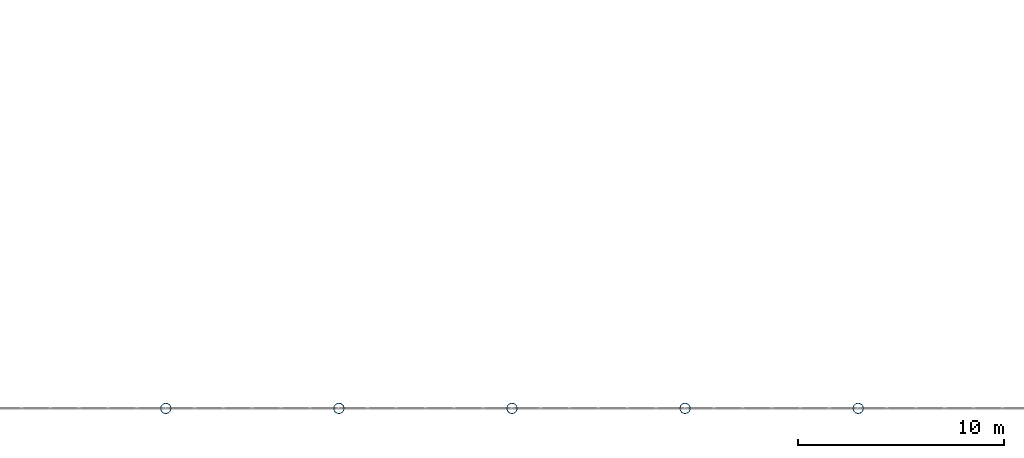
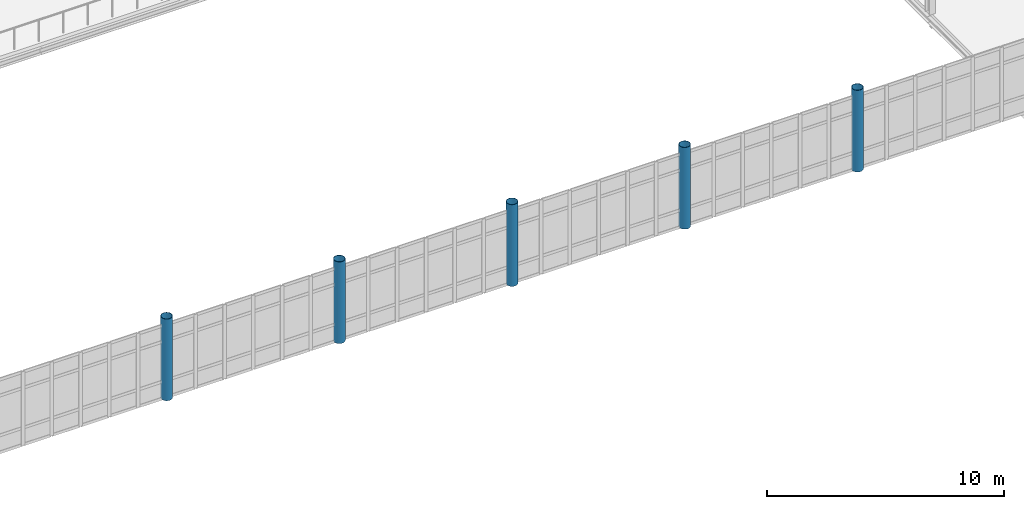
# One storey, part 5 of 163: 5 columns.
"""IFC4 building model written with IfcOpenShell, lengths in metres."""

import ifcopenshell
import ifcopenshell.guid

model = None  # the IFC model being written
_history = None  # IfcOwnerHistory: only IFC2X3 demands one
_inside = {}  # id of a spatial element -> (the spatial element, [elements in it])
_under = {}  # id of a project, library or spatial element -> (it, [spatial elements below it])
_declared = {}  # id of a project -> (the project, [libraries it declares])
_typed = {}  # id of a type object -> (the type object, [elements of that type])
_made_of = {}  # id of a material, layer set ... -> (it, [elements and type objects made of it])


def new_model(schema):
    """Start an empty IFC model of exactly this schema.

    Asked for "IFC4X3", IfcOpenShell would pick the latest addendum, in which some entities
    have other attributes; the version numbers below select the first issue.
    IFC2X3 requires an IfcOwnerHistory on every rooted entity: one is made here for all.
    """
    global model, _history
    if schema == "IFC4X3":
        model = ifcopenshell.file(schema_version=(4, 3, 0, 0))
    else:
        model = ifcopenshell.file(schema=schema)
    _inside.clear()
    _under.clear()
    _declared.clear()
    _typed.clear()
    _made_of.clear()
    _history = None
    if model.schema == "IFC2X3":
        org = make("IfcOrganization", Name="unknown")
        user = make(
            "IfcPersonAndOrganization",
            ThePerson=make("IfcPerson", FamilyName="unknown"),
            TheOrganization=org,
        )
        app = make(
            "IfcApplication",
            ApplicationDeveloper=org,
            Version="unknown",
            ApplicationFullName="unknown",
            ApplicationIdentifier="unknown",
        )
        _history = make(
            "IfcOwnerHistory",
            OwningUser=user,
            OwningApplication=app,
            ChangeAction="ADDED",
            CreationDate=0,
        )
    return model


def make(cls, **values):
    """One entity of the class cls with the attributes given. An attribute that is None is left unset."""
    return model.create_entity(
        cls, **{name: value for name, value in values.items() if value is not None}
    )


def rooted(cls, **values):
    """An entity with a GlobalId (a new one), such as an element, a storey or a relation."""
    return make(cls, GlobalId=ifcopenshell.guid.new(), OwnerHistory=_history, **values)


def si_unit(unit_type, name, prefix=None):
    """IfcSIUnit, for example si_unit("LENGTHUNIT", "METRE", prefix="MILLI")."""
    return make("IfcSIUnit", UnitType=unit_type, Prefix=prefix, Name=name)


def assignment(units):
    """IfcUnitAssignment: the units of a project."""
    return None if units is None else make("IfcUnitAssignment", Units=units)


def point(xyz):
    """IfcCartesianPoint."""
    return None if xyz is None else make("IfcCartesianPoint", Coordinates=xyz)


def direction(xyz):
    """IfcDirection."""
    return None if xyz is None else make("IfcDirection", DirectionRatios=xyz)


def frame(location, z_axis=None, x_axis=None):
    """IfcAxis2Placement3D, a coordinate frame: its origin and axes. An axis left out is left unset."""
    return make(
        "IfcAxis2Placement3D",
        Location=point(location),
        Axis=direction(z_axis),
        RefDirection=direction(x_axis),
    )


def frame_2d(location, x_axis=None):
    """IfcAxis2Placement2D, a coordinate frame in the plane: its origin and x axis."""
    return make(
        "IfcAxis2Placement2D", Location=point(location), RefDirection=direction(x_axis)
    )


def origin():
    """The frame at (0, 0, 0) with its axes left unset."""
    return frame((0.0, 0.0, 0.0))


def origin_2d():
    """The frame at (0, 0) in the plane with its x axis left unset."""
    return frame_2d((0.0, 0.0))


def place(relative_to, where):
    """IfcLocalPlacement: puts the frame where relative to a parent placement (None: the world)."""
    return make(
        "IfcLocalPlacement", PlacementRelTo=relative_to, RelativePlacement=where
    )


def context(
    kind, dimensions, precision=None, world=None, true_north=None, identifier=None
):
    """IfcGeometricRepresentationContext, for example the 3D "Model" context."""
    return make(
        "IfcGeometricRepresentationContext",
        ContextIdentifier=identifier,
        ContextType=kind,
        CoordinateSpaceDimension=dimensions,
        Precision=precision,
        WorldCoordinateSystem=world,
        TrueNorth=true_north,
    )


def subcontext(parent, identifier, kind, view, scale=None):
    """IfcGeometricRepresentationSubContext, for example "Body" below "Model"."""
    return make(
        "IfcGeometricRepresentationSubContext",
        ContextIdentifier=identifier,
        ContextType=kind,
        ParentContext=parent,
        TargetScale=scale,
        TargetView=view,
    )


def project(units=None, contexts=None):
    """IfcProject with its units and contexts."""
    return rooted(
        "IfcProject",
        Name="project",
        RepresentationContexts=contexts,
        UnitsInContext=assignment(units),
    )


def spatial(cls, under=None, at=None, **own):
    """A site, building, storey or space (cls), placed at a placement, below another one or the project."""
    s = rooted(cls, ObjectPlacement=at, **own)
    if under is not None:
        _under.setdefault(under.id(), (under, []))[1].append(s)
    return s


def profile(cls, at=None, kind="AREA", **sizes):
    """A parametric profile (cls). Its sizes go by their IFC names, for example OverallWidth=200.0."""
    return make(cls, ProfileType=kind, Position=at, **sizes)


def hollow_circle(**sizes):
    """IfcCircleHollowProfileDef."""
    return profile("IfcCircleHollowProfileDef", **sizes)


def extrude(swept, where, along, depth):
    """IfcExtrudedAreaSolid: the profile swept, set in the frame where, extruded along a direction by depth."""
    return make(
        "IfcExtrudedAreaSolid",
        SweptArea=swept,
        Position=where,
        ExtrudedDirection=direction(along),
        Depth=depth,
    )


def shape(context_of_items, identifier, shape_type, items):
    """IfcShapeRepresentation: the items that make up one representation, for example the "Body"."""
    return make(
        "IfcShapeRepresentation",
        ContextOfItems=context_of_items,
        RepresentationIdentifier=identifier,
        RepresentationType=shape_type,
        Items=items,
    )


def material(Name=None, Category=None):
    """IfcMaterial."""
    return make("IfcMaterial", Name=Name, Category=Category)


def material_profile(
    of_material, cross_section, Name=None, Category=None, Priority=None
):
    """IfcMaterialProfile: a cross section and its material."""
    return make(
        "IfcMaterialProfile",
        Name=Name,
        Material=of_material,
        Profile=cross_section,
        Priority=Priority,
        Category=Category,
    )


def profile_set(profiles, Name=None, composite=None):
    """IfcMaterialProfileSet."""
    return make(
        "IfcMaterialProfileSet",
        Name=Name,
        MaterialProfiles=profiles,
        CompositeProfile=composite,
    )


def made_of(thing, what):
    """Note that an element or type object is made of a material, layer set ...; save() writes the relation."""
    if what is not None:
        _made_of.setdefault(what.id(), (what, []))[1].append(thing)
    return thing


def type_object(cls, material=None, **own):
    """A type object (cls), such as IfcWallType, which elements share."""
    return made_of(rooted(cls, **own), material)


def element(
    cls,
    number,
    at=None,
    inside=None,
    cuts=None,
    type_object=None,
    material=None,
    context=None,
    identifier="Body",
    shape_type=None,
    held_by="IfcProductDefinitionShape",
    body=None,
    shapes=None,
    **own,
):
    """One element of the class cls, such as IfcWall. Its Tag is "e" and its number.

    at: its placement. inside: the storey or other place that contains it. cuts: it is an
    opening in that element (IfcRelVoidsElement). A single representation is given by context,
    identifier, shape_type and body (its items); several are given by shapes. held_by: the class
    of the entity that holds the representations. save() writes the other relations.
    """
    e = rooted(cls, Tag="e%d" % number, ObjectPlacement=at, **own)
    if body is not None:
        shapes = [shape(context, identifier, shape_type, body)]
    if shapes is not None:
        e.Representation = make(held_by, Representations=shapes)
    if inside is not None:
        _inside.setdefault(inside.id(), (inside, []))[1].append(e)
    if cuts is not None:
        rooted(
            "IfcRelVoidsElement", RelatingBuildingElement=cuts, RelatedOpeningElement=e
        )
    if type_object is not None:
        _typed.setdefault(type_object.id(), (type_object, []))[1].append(e)
    return made_of(e, material)


def aggregate(whole, parts):
    """IfcRelAggregates: a whole, such as a stair, and the parts it consists of."""
    return rooted("IfcRelAggregates", RelatingObject=whole, RelatedObjects=parts)


def save(model, path):
    """Write the relations noted so far, then the file.

    IfcRelAggregates (storeys below a building ...), IfcRelContainedInSpatialStructure (elements
    in a storey), IfcRelDefinesByType, IfcRelAssociatesMaterial and IfcRelDeclares: one each for
    every whole, place, type object, material and project.
    """
    for whole, parts in _under.values():
        aggregate(whole, parts)
    for where, things in _inside.values():
        rooted(
            "IfcRelContainedInSpatialStructure",
            RelatedElements=things,
            RelatingStructure=where,
        )
    for kind, things in _typed.values():
        rooted("IfcRelDefinesByType", RelatedObjects=things, RelatingType=kind)
    for what, things in _made_of.values():
        rooted("IfcRelAssociatesMaterial", RelatedObjects=things, RelatingMaterial=what)
    for by, libraries in _declared.values():
        rooted("IfcRelDeclares", RelatingContext=by, RelatedDefinitions=libraries)
    model.write(path)


model = new_model("IFC4")

# Units and contexts
model_context = context("Model", 3, precision=1e-05, world=origin(), true_north=direction((0.0, 1.0)))
body_context = subcontext(model_context, "Body", "Model", "MODEL_VIEW")
ifc_project = project(units=[si_unit("LENGTHUNIT", "METRE"), si_unit("AREAUNIT", "SQUARE_METRE"), si_unit("VOLUMEUNIT", "CUBIC_METRE"), si_unit("PLANEANGLEUNIT", "RADIAN"), si_unit("MASSUNIT", "GRAM", prefix="KILO")], contexts=[model_context])

# Site, building, storey
site_placement = place(None, origin())
site = spatial("IfcSite", under=ifc_project, at=site_placement, CompositionType="ELEMENT")
building_placement = place(site_placement, origin())
building = spatial("IfcBuilding", under=site, at=building_placement, Name="Qalvenar Corner Mobility Hub", CompositionType="ELEMENT")
storey_placement = place(building_placement, frame((0.0, 0.0, 4.800048828125)))
storey = spatial("IfcBuildingStorey", under=building, at=storey_placement, Name="L01", CompositionType="ELEMENT", Elevation=4.800048828125)

# Columns
ifc_material = material(Name="Steel S355", Category="steel")
ifc_material_profile = material_profile(ifc_material, hollow_circle(Radius=0.25390625, WallThickness=0.01611328125, at=origin_2d()), Name="CHS508x16")
ifc_profile_set = profile_set([ifc_material_profile], Name="Steel S355")
column_type = type_object("IfcColumnType", Name="COL-CHS508", PredefinedType="COLUMN", material=ifc_profile_set)
for number, where, z_axis, x_axis, name in (
    (1, (67.199951171875, 0.0, 0.0), (0.0, 0.0, 1.0), (1.0, 0.0, 0.0), "Steel Column L01-G9-0"),
    (2, (75.60009765625, 0.0, 0.0), (0.0, 0.0, 1.0), (1.0, 0.0, 0.0), "Steel Column L01-G10-0"),
    (3, (84.0, 0.0, 0.0), (0.0, 0.0, 1.0), (1.0, 0.0, 0.0), "Steel Column L01-G11-0"),
    (4, (92.39990234375, 0.0, 0.0), (0.0, 0.0, 1.0), (1.0, 0.0, 0.0), "Steel Column L01-G12-0"),
    (5, (100.800048828125, 0.0, 0.0), (0.0, 0.0, 1.0), (1.0, 0.0, 0.0), "Steel Column L01-G13-0"),
):
    element("IfcColumn", number, at=place(storey_placement, frame(where, z_axis=z_axis, x_axis=x_axis)), inside=storey, type_object=column_type, Name=name, PredefinedType="COLUMN", context=body_context, shape_type="SweptSolid", body=[
        extrude(hollow_circle(Radius=0.25390625, WallThickness=0.01611328125, at=origin_2d()), origin(), (0.0, 0.0, 1.0), 4.199951171875),
    ])

save(model, "model.ifc")
